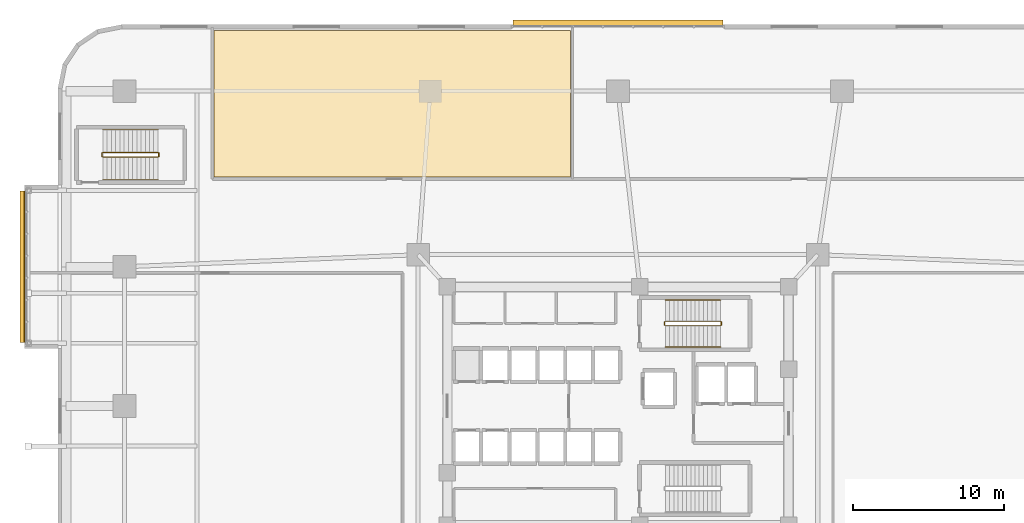
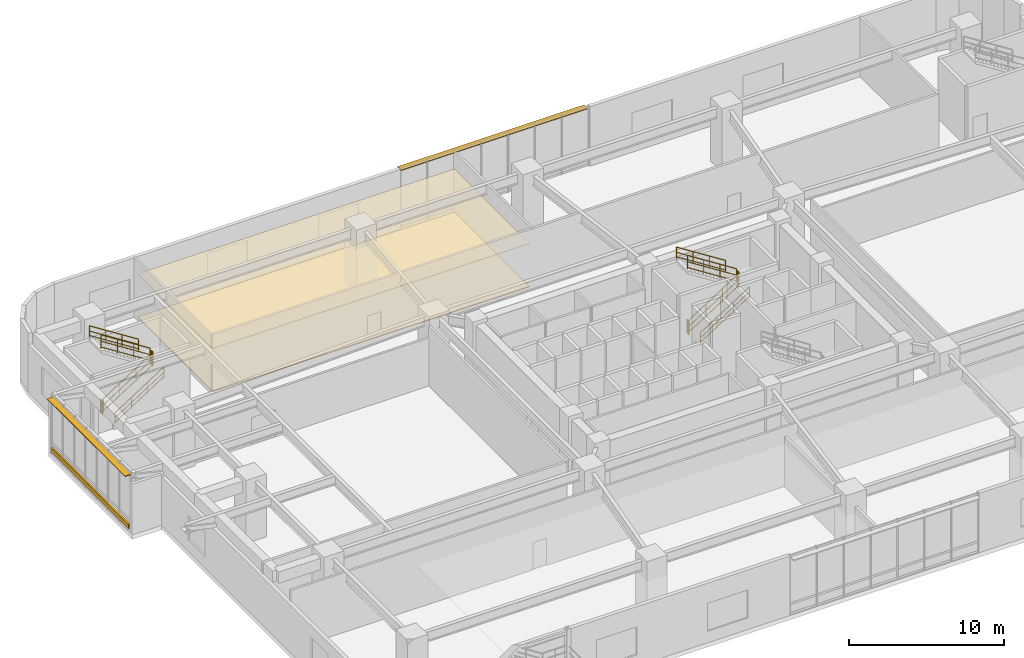
# One storey, part 21 of 23: 12 railings, 3 shading devices, 2 coverings.
"""IFC4 building model written with IfcOpenShell, lengths in metres."""

from ifc_helpers import new_model, si_unit, direction, frame, origin, origin_2d, place, context, subcontext, project, spatial, polyline, rectangle, outline, extrude, material, layer, layer_set, type_object, element, save


model = new_model("IFC4")

# Units and contexts
model_context = context("Model", 3, precision=1e-05, world=origin(), true_north=direction((0.0, 1.0)))
body_context = subcontext(model_context, "Body", "Model", "MODEL_VIEW")
ifc_project = project(units=[si_unit("LENGTHUNIT", "METRE"), si_unit("AREAUNIT", "SQUARE_METRE"), si_unit("VOLUMEUNIT", "CUBIC_METRE"), si_unit("PLANEANGLEUNIT", "RADIAN"), si_unit("MASSUNIT", "GRAM", prefix="KILO")], contexts=[model_context])

# Site, building, storey
site_placement = place(None, origin())
site = spatial("IfcSite", under=ifc_project, at=site_placement, CompositionType="ELEMENT")
building_placement = place(site_placement, origin())
building = spatial("IfcBuilding", under=site, at=building_placement, Name="Zulverin Broadcast Headquarters", CompositionType="ELEMENT")
storey_placement = place(building_placement, frame((0.0, 0.0, 10.0)))
storey = spatial("IfcBuildingStorey", under=building, at=storey_placement, Name="L02", CompositionType="ELEMENT", Elevation=10.0)

# Coverings
ifc_material_1 = material(Name="Perforated pale-metal acoustic baffle ceiling", Category="aluminium")
ifc_layer_1 = layer(ifc_material_1, 0.0400390625, Name="Perforated pale-metal acoustic baffle ceiling", Category="aluminium")
ifc_layer_set_1 = layer_set([ifc_layer_1], Name="Perforated pale-metal acoustic baffle ceiling")
covering_type_1 = type_object("IfcCoveringType", Name="COV-CEIL-ACOU", PredefinedType="CEILING", material=ifc_layer_set_1)
covering_1_placement = place(storey_placement, frame((0.0, 0.0, 3.389892578125)))
element("IfcCovering", 1, at=covering_1_placement, inside=storey, type_object=covering_type_1, Name="L02 Acoustic Baffle Ceiling 03", PredefinedType="CEILING", context=body_context, shape_type="SweptSolid", body=[
    extrude(outline(polyline([(33.8798828125, 50.0), (10.320068359375, 50.0), (10.320068359375, 40.320068359375), (33.8798828125, 40.320068359375), (33.8798828125, 50.0)])), origin(), (0.0, 0.0, 1.0), 0.0400390625),
])
ifc_material_2 = material(Name="Anti-static broadcast raised access flooring", Category="stone")
ifc_layer_2 = layer(ifc_material_2, 0.050048828125, Name="Anti-static broadcast raised access flooring", Category="stone")
ifc_layer_set_2 = layer_set([ifc_layer_2], Name="Anti-static broadcast raised access flooring")
covering_type_2 = type_object("IfcCoveringType", Name="COV-FLR-RAISED", PredefinedType="FLOORING", material=ifc_layer_set_2)
covering_2_placement = place(storey_placement, origin())
element("IfcCovering", 2, at=covering_2_placement, inside=storey, type_object=covering_type_2, Name="L02 Broadcast Raised Access Flooring 01", PredefinedType="FLOORING", context=body_context, shape_type="SweptSolid", body=[
    extrude(outline(polyline([(33.8798828125, 50.0), (10.320068359375, 50.0), (10.320068359375, 40.320068359375), (33.8798828125, 40.320068359375), (33.8798828125, 50.0)])), origin(), (0.0, 0.0, 1.0), 0.050048828125),
])

# Railings
ifc_material_3 = material(Name="Painted galvanized steel tubular guardrail S355JR", Category="steel")
railing_type_1 = type_object("IfcRailingType", Name="RL-ST-GUARD", PredefinedType="GUARDRAIL", material=ifc_material_3)
railing_1_placement = place(storey_placement, frame((40.1298828125, 30.5, 0.178466796875)))
element("IfcRailing", 3, at=railing_1_placement, inside=storey, type_object=railing_type_1, Name="L02 ST-1 stair guard 1", PredefinedType="GUARDRAIL", context=body_context, shape_type="SweptSolid", body=[
    extrude(rectangle(XDim=0.048095703125, YDim=0.048095703125, at=origin_2d()), frame((0.0, 0.0, 1.076171875), z_axis=(0.843127859045, 0.0, 0.537713132908), x_axis=(0.0, 1.0, 0.0)), (0.0, 0.0, 1.0), 4.3173828125),
    extrude(rectangle(XDim=0.0419921875, YDim=0.0419921875, at=origin_2d()), frame((0.0, 0.0, 0.572021484375), z_axis=(0.843127859045, 0.0, 0.537713132908), x_axis=(0.0, 1.0, 0.0)), (0.0, 0.0, 1.0), 4.3173828125),
    extrude(rectangle(XDim=0.0419921875, YDim=0.0419921875, at=origin_2d()), frame((0.0, 0.0, 0.1201171875), z_axis=(0.843127859045, 0.0, 0.537713132908), x_axis=(0.0, 1.0, 0.0)), (0.0, 0.0, 1.0), 4.3173828125),
    extrude(rectangle(XDim=0.0419921875, YDim=0.0419921875, at=origin_2d()), origin(), (0.0, 0.0, 1.0), 1.052001953125),
    extrude(rectangle(XDim=0.0419921875, YDim=0.0419921875, at=origin_2d()), frame((1.21337890625, 0.0, 0.77392578125)), (0.0, 0.0, 1.0), 1.052001953125),
    extrude(rectangle(XDim=0.0419921875, YDim=0.0419921875, at=origin_2d()), frame((2.4267578125, 0.0, 1.547607421875)), (0.0, 0.0, 1.0), 1.052001953125),
    extrude(rectangle(XDim=0.0419921875, YDim=0.0419921875, at=origin_2d()), frame((3.64013671875, 0.0, 2.321533203125)), (0.0, 0.0, 1.0), 1.052001953125),
])
railing_2_placement = place(storey_placement, frame((43.820068359375, 30.550048828125, 2.5)))
element("IfcRailing", 4, at=railing_2_placement, inside=storey, type_object=railing_type_1, Name="L02 ST-1 stair guard 2", PredefinedType="GUARDRAIL", context=body_context, shape_type="SweptSolid", body=[
    extrude(rectangle(XDim=0.048095703125, YDim=0.048095703125, at=origin_2d()), frame((0.0, 0.0, 1.076171875), z_axis=(0.0, 1.0, 0.0), x_axis=(-1.0, 0.0, 0.0)), (0.0, 0.0, 1.0), 0.199951171875),
    extrude(rectangle(XDim=0.0419921875, YDim=0.0419921875, at=origin_2d()), frame((0.0, 0.0, 0.572021484375), z_axis=(0.0, 1.0, 0.0), x_axis=(-1.0, 0.0, 0.0)), (0.0, 0.0, 1.0), 0.199951171875),
    extrude(rectangle(XDim=0.0419921875, YDim=0.0419921875, at=origin_2d()), frame((0.0, 0.0, 0.1201171875), z_axis=(0.0, 1.0, 0.0), x_axis=(-1.0, 0.0, 0.0)), (0.0, 0.0, 1.0), 0.199951171875),
    extrude(rectangle(XDim=0.0419921875, YDim=0.0419921875, at=origin_2d()), origin(), (0.0, 0.0, 1.0), 1.052001953125),
    extrude(rectangle(XDim=0.0419921875, YDim=0.0419921875, at=origin_2d()), frame((0.0, 0.199951171875, 0.0)), (0.0, 0.0, 1.0), 1.052001953125),
])
railing_3_placement = place(storey_placement, frame((43.77001953125, 30.800048828125, 2.678466796875)))
element("IfcRailing", 5, at=railing_3_placement, inside=storey, type_object=railing_type_1, Name="L02 ST-1 stair guard 3", PredefinedType="GUARDRAIL", context=body_context, shape_type="SweptSolid", body=[
    extrude(rectangle(XDim=0.048095703125, YDim=0.048095703125, at=origin_2d()), frame((0.0, 0.0, 1.076171875), z_axis=(-0.843127859045, 0.0, 0.537713132908), x_axis=(0.0, -1.0, 0.0)), (0.0, 0.0, 1.0), 4.3173828125),
    extrude(rectangle(XDim=0.0419921875, YDim=0.0419921875, at=origin_2d()), frame((0.0, 0.0, 0.572021484375), z_axis=(-0.843127859045, 0.0, 0.537713132908), x_axis=(0.0, -1.0, 0.0)), (0.0, 0.0, 1.0), 4.3173828125),
    extrude(rectangle(XDim=0.0419921875, YDim=0.0419921875, at=origin_2d()), frame((0.0, 0.0, 0.1201171875), z_axis=(-0.843127859045, 0.0, 0.537713132908), x_axis=(0.0, -1.0, 0.0)), (0.0, 0.0, 1.0), 4.3173828125),
    extrude(rectangle(XDim=0.0419921875, YDim=0.0419921875, at=origin_2d()), origin(), (0.0, 0.0, 1.0), 1.052001953125),
    extrude(rectangle(XDim=0.0419921875, YDim=0.0419921875, at=origin_2d()), frame((-1.21337890625, 0.0, 0.77392578125)), (0.0, 0.0, 1.0), 1.052001953125),
    extrude(rectangle(XDim=0.0419921875, YDim=0.0419921875, at=origin_2d()), frame((-2.4267578125, 0.0, 1.547607421875)), (0.0, 0.0, 1.0), 1.052001953125),
    extrude(rectangle(XDim=0.0419921875, YDim=0.0419921875, at=origin_2d()), frame((-3.64013671875, 0.0, 2.321533203125)), (0.0, 0.0, 1.0), 1.052001953125),
])
railing_4_placement = place(storey_placement, frame((40.080078125, 30.550048828125, 0.0)))
element("IfcRailing", 6, at=railing_4_placement, inside=storey, type_object=railing_type_1, Name="L02 ST-1 stair guard 4", PredefinedType="GUARDRAIL", context=body_context, shape_type="SweptSolid", body=[
    extrude(rectangle(XDim=0.048095703125, YDim=0.048095703125, at=origin_2d()), frame((0.0, 0.0, 1.076171875), z_axis=(0.0, 1.0, 0.0), x_axis=(-1.0, 0.0, 0.0)), (0.0, 0.0, 1.0), 0.199951171875),
    extrude(rectangle(XDim=0.0419921875, YDim=0.0419921875, at=origin_2d()), frame((0.0, 0.0, 0.572021484375), z_axis=(0.0, 1.0, 0.0), x_axis=(-1.0, 0.0, 0.0)), (0.0, 0.0, 1.0), 0.199951171875),
    extrude(rectangle(XDim=0.0419921875, YDim=0.0419921875, at=origin_2d()), frame((0.0, 0.0, 0.1201171875), z_axis=(0.0, 1.0, 0.0), x_axis=(-1.0, 0.0, 0.0)), (0.0, 0.0, 1.0), 0.199951171875),
    extrude(rectangle(XDim=0.0419921875, YDim=0.0419921875, at=origin_2d()), origin(), (0.0, 0.0, 1.0), 1.052001953125),
    extrude(rectangle(XDim=0.0419921875, YDim=0.0419921875, at=origin_2d()), frame((0.0, 0.199951171875, 0.0)), (0.0, 0.0, 1.0), 1.052001953125),
])
railing_5_placement = place(storey_placement, frame((2.969970703125, 41.64990234375, 0.178466796875)))
element("IfcRailing", 7, at=railing_5_placement, inside=storey, type_object=railing_type_1, Name="L02 ST-3 stair guard 1", PredefinedType="GUARDRAIL", context=body_context, shape_type="SweptSolid", body=[
    extrude(rectangle(XDim=0.048095703125, YDim=0.048095703125, at=origin_2d()), frame((0.0, 0.0, 1.076171875), z_axis=(0.843127859045, 0.0, 0.537713132908), x_axis=(0.0, 1.0, 0.0)), (0.0, 0.0, 1.0), 4.3173828125),
    extrude(rectangle(XDim=0.0419921875, YDim=0.0419921875, at=origin_2d()), frame((0.0, 0.0, 0.572021484375), z_axis=(0.843127859045, 0.0, 0.537713132908), x_axis=(0.0, 1.0, 0.0)), (0.0, 0.0, 1.0), 4.3173828125),
    extrude(rectangle(XDim=0.0419921875, YDim=0.0419921875, at=origin_2d()), frame((0.0, 0.0, 0.1201171875), z_axis=(0.843127859045, 0.0, 0.537713132908), x_axis=(0.0, 1.0, 0.0)), (0.0, 0.0, 1.0), 4.3173828125),
    extrude(rectangle(XDim=0.0419921875, YDim=0.0419921875, at=origin_2d()), origin(), (0.0, 0.0, 1.0), 1.052001953125),
    extrude(rectangle(XDim=0.0419921875, YDim=0.0419921875, at=origin_2d()), frame((1.21337890625, 0.0, 0.77392578125)), (0.0, 0.0, 1.0), 1.052001953125),
    extrude(rectangle(XDim=0.0419921875, YDim=0.0419921875, at=origin_2d()), frame((2.4267578125, 0.0, 1.547607421875)), (0.0, 0.0, 1.0), 1.052001953125),
    extrude(rectangle(XDim=0.0419921875, YDim=0.0419921875, at=origin_2d()), frame((3.64013671875, 0.0, 2.321533203125)), (0.0, 0.0, 1.0), 1.052001953125),
])
railing_6_placement = place(storey_placement, frame((6.659912109375, 41.699951171875, 2.5)))
element("IfcRailing", 8, at=railing_6_placement, inside=storey, type_object=railing_type_1, Name="L02 ST-3 stair guard 2", PredefinedType="GUARDRAIL", context=body_context, shape_type="SweptSolid", body=[
    extrude(rectangle(XDim=0.048095703125, YDim=0.048095703125, at=origin_2d()), frame((0.0, 0.0, 1.076171875), z_axis=(0.0, 1.0, 0.0), x_axis=(-1.0, 0.0, 0.0)), (0.0, 0.0, 1.0), 0.199951171875),
    extrude(rectangle(XDim=0.0419921875, YDim=0.0419921875, at=origin_2d()), frame((0.0, 0.0, 0.572021484375), z_axis=(0.0, 1.0, 0.0), x_axis=(-1.0, 0.0, 0.0)), (0.0, 0.0, 1.0), 0.199951171875),
    extrude(rectangle(XDim=0.0419921875, YDim=0.0419921875, at=origin_2d()), frame((0.0, 0.0, 0.1201171875), z_axis=(0.0, 1.0, 0.0), x_axis=(-1.0, 0.0, 0.0)), (0.0, 0.0, 1.0), 0.199951171875),
    extrude(rectangle(XDim=0.0419921875, YDim=0.0419921875, at=origin_2d()), origin(), (0.0, 0.0, 1.0), 1.052001953125),
    extrude(rectangle(XDim=0.0419921875, YDim=0.0419921875, at=origin_2d()), frame((0.0, 0.199951171875, 0.0)), (0.0, 0.0, 1.0), 1.052001953125),
])
railing_7_placement = place(storey_placement, frame((6.610107421875, 41.949951171875, 2.678466796875)))
element("IfcRailing", 9, at=railing_7_placement, inside=storey, type_object=railing_type_1, Name="L02 ST-3 stair guard 3", PredefinedType="GUARDRAIL", context=body_context, shape_type="SweptSolid", body=[
    extrude(rectangle(XDim=0.048095703125, YDim=0.048095703125, at=origin_2d()), frame((0.0, 0.0, 1.076171875), z_axis=(-0.843127859045, 0.0, 0.537713132908), x_axis=(0.0, -1.0, 0.0)), (0.0, 0.0, 1.0), 4.3173828125),
    extrude(rectangle(XDim=0.0419921875, YDim=0.0419921875, at=origin_2d()), frame((0.0, 0.0, 0.572021484375), z_axis=(-0.843127859045, 0.0, 0.537713132908), x_axis=(0.0, -1.0, 0.0)), (0.0, 0.0, 1.0), 4.3173828125),
    extrude(rectangle(XDim=0.0419921875, YDim=0.0419921875, at=origin_2d()), frame((0.0, 0.0, 0.1201171875), z_axis=(-0.843127859045, 0.0, 0.537713132908), x_axis=(0.0, -1.0, 0.0)), (0.0, 0.0, 1.0), 4.3173828125),
    extrude(rectangle(XDim=0.0419921875, YDim=0.0419921875, at=origin_2d()), origin(), (0.0, 0.0, 1.0), 1.052001953125),
    extrude(rectangle(XDim=0.0419921875, YDim=0.0419921875, at=origin_2d()), frame((-1.21337890625, 0.0, 0.77392578125)), (0.0, 0.0, 1.0), 1.052001953125),
    extrude(rectangle(XDim=0.0419921875, YDim=0.0419921875, at=origin_2d()), frame((-2.4267578125, 0.0, 1.547607421875)), (0.0, 0.0, 1.0), 1.052001953125),
    extrude(rectangle(XDim=0.0419921875, YDim=0.0419921875, at=origin_2d()), frame((-3.64013671875, 0.0, 2.321533203125)), (0.0, 0.0, 1.0), 1.052001953125),
])
railing_8_placement = place(storey_placement, frame((2.919921875, 41.699951171875, 0.0)))
element("IfcRailing", 10, at=railing_8_placement, inside=storey, type_object=railing_type_1, Name="L02 ST-3 stair guard 4", PredefinedType="GUARDRAIL", context=body_context, shape_type="SweptSolid", body=[
    extrude(rectangle(XDim=0.048095703125, YDim=0.048095703125, at=origin_2d()), frame((0.0, 0.0, 1.076171875), z_axis=(0.0, 1.0, 0.0), x_axis=(-1.0, 0.0, 0.0)), (0.0, 0.0, 1.0), 0.199951171875),
    extrude(rectangle(XDim=0.0419921875, YDim=0.0419921875, at=origin_2d()), frame((0.0, 0.0, 0.572021484375), z_axis=(0.0, 1.0, 0.0), x_axis=(-1.0, 0.0, 0.0)), (0.0, 0.0, 1.0), 0.199951171875),
    extrude(rectangle(XDim=0.0419921875, YDim=0.0419921875, at=origin_2d()), frame((0.0, 0.0, 0.1201171875), z_axis=(0.0, 1.0, 0.0), x_axis=(-1.0, 0.0, 0.0)), (0.0, 0.0, 1.0), 0.199951171875),
    extrude(rectangle(XDim=0.0419921875, YDim=0.0419921875, at=origin_2d()), origin(), (0.0, 0.0, 1.0), 1.052001953125),
    extrude(rectangle(XDim=0.0419921875, YDim=0.0419921875, at=origin_2d()), frame((0.0, 0.199951171875, 0.0)), (0.0, 0.0, 1.0), 1.052001953125),
])
ifc_material_4 = material(Name="Brushed stainless steel 48 mm handrail", Category="steel")
railing_type_2 = type_object("IfcRailingType", Name="RL-ST-HAND", PredefinedType="HANDRAIL", material=ifc_material_4)
railing_9_placement = place(storey_placement, frame((40.1298828125, 29.10009765625, 0.178466796875)))
element("IfcRailing", 11, at=railing_9_placement, inside=storey, type_object=railing_type_2, Name="L02 ST-1 stair handrail 1", PredefinedType="HANDRAIL", context=body_context, shape_type="SweptSolid", body=[
    extrude(rectangle(XDim=0.048095703125, YDim=0.048095703125, at=origin_2d()), frame((0.0, 0.0, 0.8759765625), z_axis=(0.843127859045, 0.0, 0.537713132908), x_axis=(0.0, 1.0, 0.0)), (0.0, 0.0, 1.0), 4.3173828125),
    extrude(rectangle(XDim=0.0419921875, YDim=0.0419921875, at=origin_2d()), frame((0.0, 0.0, 0.468017578125), z_axis=(0.843127859045, 0.0, 0.537713132908), x_axis=(0.0, 1.0, 0.0)), (0.0, 0.0, 1.0), 4.3173828125),
    extrude(rectangle(XDim=0.0419921875, YDim=0.0419921875, at=origin_2d()), frame((0.0, 0.0, 0.1201171875), z_axis=(0.843127859045, 0.0, 0.537713132908), x_axis=(0.0, 1.0, 0.0)), (0.0, 0.0, 1.0), 4.3173828125),
    extrude(rectangle(XDim=0.0419921875, YDim=0.0419921875, at=origin_2d()), origin(), (0.0, 0.0, 1.0), 0.851806640625),
    extrude(rectangle(XDim=0.0419921875, YDim=0.0419921875, at=origin_2d()), frame((1.21337890625, 0.0, 0.77392578125)), (0.0, 0.0, 1.0), 0.851806640625),
    extrude(rectangle(XDim=0.0419921875, YDim=0.0419921875, at=origin_2d()), frame((2.4267578125, 0.0, 1.547607421875)), (0.0, 0.0, 1.0), 0.851806640625),
    extrude(rectangle(XDim=0.0419921875, YDim=0.0419921875, at=origin_2d()), frame((3.64013671875, 0.0, 2.321533203125)), (0.0, 0.0, 1.0), 0.851806640625),
])
railing_10_placement = place(storey_placement, frame((43.77001953125, 32.199951171875, 2.678466796875)))
element("IfcRailing", 12, at=railing_10_placement, inside=storey, type_object=railing_type_2, Name="L02 ST-1 stair handrail 2", PredefinedType="HANDRAIL", context=body_context, shape_type="SweptSolid", body=[
    extrude(rectangle(XDim=0.048095703125, YDim=0.048095703125, at=origin_2d()), frame((0.0, 0.0, 0.8759765625), z_axis=(-0.843127859045, 0.0, 0.537713132908), x_axis=(0.0, -1.0, 0.0)), (0.0, 0.0, 1.0), 4.3173828125),
    extrude(rectangle(XDim=0.0419921875, YDim=0.0419921875, at=origin_2d()), frame((0.0, 0.0, 0.468017578125), z_axis=(-0.843127859045, 0.0, 0.537713132908), x_axis=(0.0, -1.0, 0.0)), (0.0, 0.0, 1.0), 4.3173828125),
    extrude(rectangle(XDim=0.0419921875, YDim=0.0419921875, at=origin_2d()), frame((0.0, 0.0, 0.1201171875), z_axis=(-0.843127859045, 0.0, 0.537713132908), x_axis=(0.0, -1.0, 0.0)), (0.0, 0.0, 1.0), 4.3173828125),
    extrude(rectangle(XDim=0.0419921875, YDim=0.0419921875, at=origin_2d()), origin(), (0.0, 0.0, 1.0), 0.851806640625),
    extrude(rectangle(XDim=0.0419921875, YDim=0.0419921875, at=origin_2d()), frame((-1.21337890625, 0.0, 0.77392578125)), (0.0, 0.0, 1.0), 0.851806640625),
    extrude(rectangle(XDim=0.0419921875, YDim=0.0419921875, at=origin_2d()), frame((-2.4267578125, 0.0, 1.547607421875)), (0.0, 0.0, 1.0), 0.851806640625),
    extrude(rectangle(XDim=0.0419921875, YDim=0.0419921875, at=origin_2d()), frame((-3.64013671875, 0.0, 2.321533203125)), (0.0, 0.0, 1.0), 0.851806640625),
])
railing_11_placement = place(storey_placement, frame((2.969970703125, 40.14990234375, 0.178466796875)))
element("IfcRailing", 13, at=railing_11_placement, inside=storey, type_object=railing_type_2, Name="L02 ST-3 stair handrail 1", PredefinedType="HANDRAIL", context=body_context, shape_type="SweptSolid", body=[
    extrude(rectangle(XDim=0.048095703125, YDim=0.048095703125, at=origin_2d()), frame((0.0, 0.0, 0.8759765625), z_axis=(0.843127859045, 0.0, 0.537713132908), x_axis=(0.0, 1.0, 0.0)), (0.0, 0.0, 1.0), 4.3173828125),
    extrude(rectangle(XDim=0.0419921875, YDim=0.0419921875, at=origin_2d()), frame((0.0, 0.0, 0.468017578125), z_axis=(0.843127859045, 0.0, 0.537713132908), x_axis=(0.0, 1.0, 0.0)), (0.0, 0.0, 1.0), 4.3173828125),
    extrude(rectangle(XDim=0.0419921875, YDim=0.0419921875, at=origin_2d()), frame((0.0, 0.0, 0.1201171875), z_axis=(0.843127859045, 0.0, 0.537713132908), x_axis=(0.0, 1.0, 0.0)), (0.0, 0.0, 1.0), 4.3173828125),
    extrude(rectangle(XDim=0.0419921875, YDim=0.0419921875, at=origin_2d()), origin(), (0.0, 0.0, 1.0), 0.851806640625),
    extrude(rectangle(XDim=0.0419921875, YDim=0.0419921875, at=origin_2d()), frame((1.21337890625, 0.0, 0.77392578125)), (0.0, 0.0, 1.0), 0.851806640625),
    extrude(rectangle(XDim=0.0419921875, YDim=0.0419921875, at=origin_2d()), frame((2.4267578125, 0.0, 1.547607421875)), (0.0, 0.0, 1.0), 0.851806640625),
    extrude(rectangle(XDim=0.0419921875, YDim=0.0419921875, at=origin_2d()), frame((3.64013671875, 0.0, 2.321533203125)), (0.0, 0.0, 1.0), 0.851806640625),
])
railing_12_placement = place(storey_placement, frame((6.610107421875, 43.449951171875, 2.678466796875)))
element("IfcRailing", 14, at=railing_12_placement, inside=storey, type_object=railing_type_2, Name="L02 ST-3 stair handrail 2", PredefinedType="HANDRAIL", context=body_context, shape_type="SweptSolid", body=[
    extrude(rectangle(XDim=0.048095703125, YDim=0.048095703125, at=origin_2d()), frame((0.0, 0.0, 0.8759765625), z_axis=(-0.843127859045, 0.0, 0.537713132908), x_axis=(0.0, -1.0, 0.0)), (0.0, 0.0, 1.0), 4.3173828125),
    extrude(rectangle(XDim=0.0419921875, YDim=0.0419921875, at=origin_2d()), frame((0.0, 0.0, 0.468017578125), z_axis=(-0.843127859045, 0.0, 0.537713132908), x_axis=(0.0, -1.0, 0.0)), (0.0, 0.0, 1.0), 4.3173828125),
    extrude(rectangle(XDim=0.0419921875, YDim=0.0419921875, at=origin_2d()), frame((0.0, 0.0, 0.1201171875), z_axis=(-0.843127859045, 0.0, 0.537713132908), x_axis=(0.0, -1.0, 0.0)), (0.0, 0.0, 1.0), 4.3173828125),
    extrude(rectangle(XDim=0.0419921875, YDim=0.0419921875, at=origin_2d()), origin(), (0.0, 0.0, 1.0), 0.851806640625),
    extrude(rectangle(XDim=0.0419921875, YDim=0.0419921875, at=origin_2d()), frame((-1.21337890625, 0.0, 0.77392578125)), (0.0, 0.0, 1.0), 0.851806640625),
    extrude(rectangle(XDim=0.0419921875, YDim=0.0419921875, at=origin_2d()), frame((-2.4267578125, 0.0, 1.547607421875)), (0.0, 0.0, 1.0), 0.851806640625),
    extrude(rectangle(XDim=0.0419921875, YDim=0.0419921875, at=origin_2d()), frame((-3.64013671875, 0.0, 2.321533203125)), (0.0, 0.0, 1.0), 0.851806640625),
])

# Shading devices
ifc_material_5 = material(Name="Anodized pale-metal aluminium acoustic louvre", Category="aluminium")
shading_device_type_1 = type_object("IfcShadingDeviceType", Name="SHD-LOUVRE-350", PredefinedType="USERDEFINED", material=ifc_material_5)
shading_device_1_placement = place(storey_placement, frame((-2.159912109375, 34.39990234375, 0.224853515625), z_axis=(0.0, 0.0, 1.0), x_axis=(0.0, -1.0, 0.0)))
element("IfcShadingDevice", 15, at=shading_device_1_placement, inside=storey, type_object=shading_device_type_1, Name="L02 Pale-Metal Acoustic Louvre Screen CW-L02-SBOX_POD_LOWER_W1-F", ObjectType="LOUVRE", PredefinedType="USERDEFINED", context=body_context, shape_type="SweptSolid", body=[
    extrude(rectangle(XDim=9.93994140625, YDim=0.1201171875, at=origin_2d()), origin(), (0.0, 0.0, 1.0), 0.35009765625),
])
ifc_material_6 = material(Name="Anodized pale-metal aluminium sunshade", Category="aluminium")
ifc_layer_3 = layer(ifc_material_6, 0.06005859375, Name="Anodized pale-metal aluminium sunshade", Category="aluminium")
ifc_layer_set_3 = layer_set([ifc_layer_3], Name="Anodized pale-metal aluminium sunshade")
shading_device_type_2 = type_object("IfcShadingDeviceType", Name="SS-01_PALE_METAL_ALUMINIUM_SUNSHADE", PredefinedType="USERDEFINED", material=ifc_layer_set_3)
shading_device_2_placement = place(storey_placement, frame((37.0, 50.47998046875, 4.449951171875), z_axis=(0.0, 0.0, 1.0), x_axis=(-1.0, 0.0, 0.0)))
element("IfcShadingDevice", 16, at=shading_device_2_placement, inside=storey, type_object=shading_device_type_2, Name="L02 Pale-Metal Horizontal Sunshade Band CW-L02-N2", ObjectType="SUNSHADE", PredefinedType="USERDEFINED", context=body_context, shape_type="SweptSolid", body=[
    extrude(rectangle(XDim=13.860107421875, YDim=0.449951171875, at=origin_2d()), origin(), (0.0, 0.0, 1.0), 0.06005859375),
])
shading_device_3_placement = place(storey_placement, frame((-2.280029296875, 34.39990234375, 4.449951171875), z_axis=(0.0, 0.0, 1.0), x_axis=(0.0, -1.0, 0.0)))
element("IfcShadingDevice", 17, at=shading_device_3_placement, inside=storey, type_object=shading_device_type_2, Name="L02 Pale-Metal Horizontal Sunshade Band CW-L02-SBOX_POD_LOWER_W1-F", ObjectType="SUNSHADE", PredefinedType="USERDEFINED", context=body_context, shape_type="SweptSolid", body=[
    extrude(rectangle(XDim=10.02001953125, YDim=0.449951171875, at=origin_2d()), origin(), (0.0, 0.0, 1.0), 0.06005859375),
])

save(model, "model.ifc")
